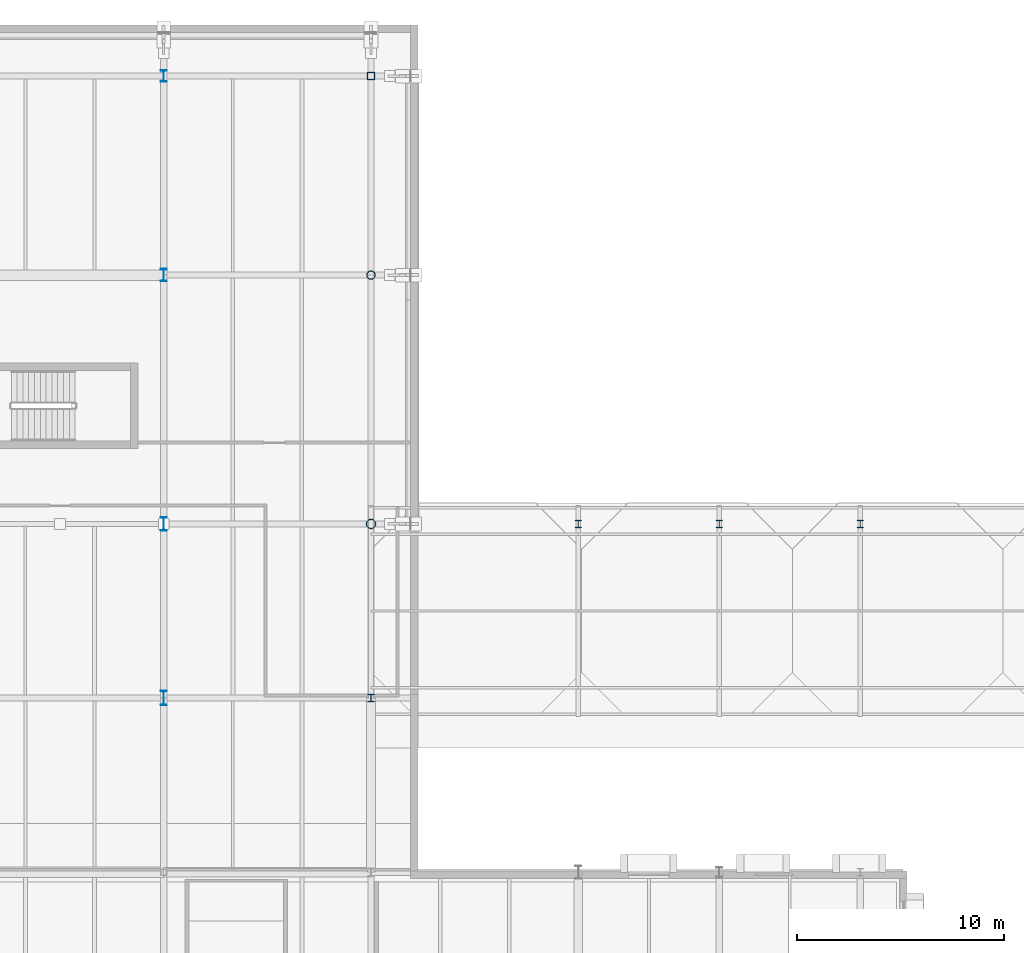
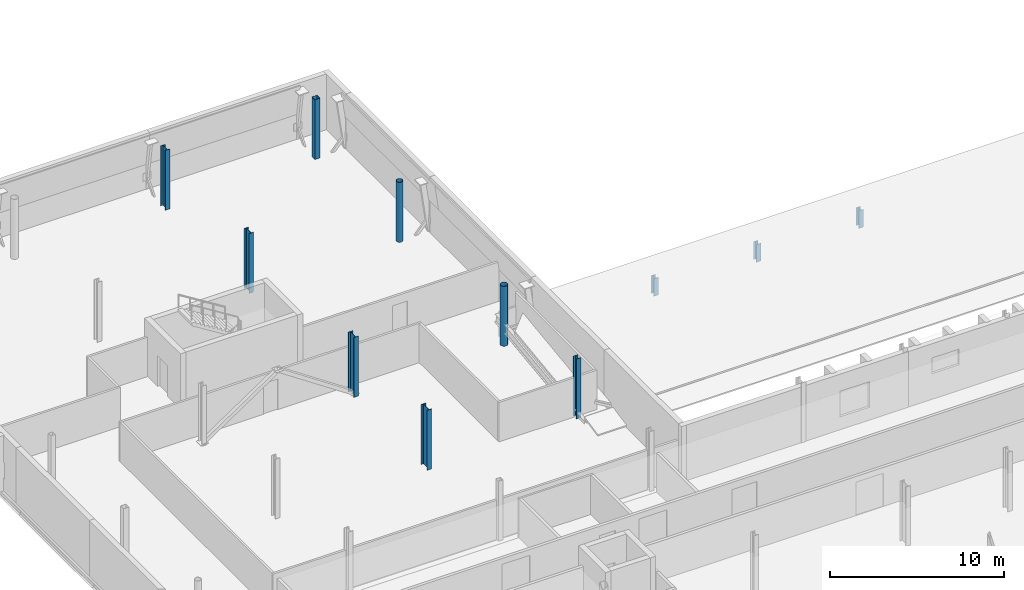
# One storey, part 15 of 90: 11 columns.
"""IFC4 building model written with IfcOpenShell, lengths in metres."""

from ifc_helpers import new_model, si_unit, direction, frame, origin, origin_2d, place, context, subcontext, project, spatial, hollow_rectangle, hollow_circle, i_section, extrude, material, material_profile, profile_set, type_object, element, save


model = new_model("IFC4")

# Units and contexts
model_context = context("Model", 3, precision=1e-05, world=origin(), true_north=direction((0.0, 1.0)))
body_context = subcontext(model_context, "Body", "Model", "MODEL_VIEW")
ifc_project = project(units=[si_unit("LENGTHUNIT", "METRE"), si_unit("AREAUNIT", "SQUARE_METRE"), si_unit("VOLUMEUNIT", "CUBIC_METRE"), si_unit("PLANEANGLEUNIT", "RADIAN"), si_unit("MASSUNIT", "GRAM", prefix="KILO")], contexts=[model_context])

# Site, building, storey
site_placement = place(None, origin())
site = spatial("IfcSite", under=ifc_project, at=site_placement, CompositionType="ELEMENT")
building_placement = place(site_placement, origin())
building = spatial("IfcBuilding", under=site, at=building_placement, Name="Zereglee Splitstone Museum", CompositionType="ELEMENT")
storey_placement = place(building_placement, frame((0.0, 0.0, 4.800048828125)))
storey = spatial("IfcBuildingStorey", under=building, at=storey_placement, Name="L01", CompositionType="ELEMENT", Elevation=4.800048828125)

# Columns
ifc_material_1 = material(Name="Steel S355J2H", Category="steel")
ifc_material_profile_1 = material_profile(ifc_material_1, hollow_circle(Radius=0.203125, WallThickness=0.02001953125, at=origin_2d()), Name="CHS 406.4x20")
ifc_profile_set_1 = profile_set([ifc_material_profile_1], Name="Steel S355J2H")
column_type_1 = type_object("IfcColumnType", Name="C-18", PredefinedType="COLUMN", material=ifc_profile_set_1)
column_1_placement = place(storey_placement, frame((205.199951171875, 50.39990234375, 0.0), z_axis=(0.0, 0.0, 1.0), x_axis=(1.0, 0.0, 0.0)))
element("IfcColumn", 1, at=column_1_placement, inside=storey, type_object=column_type_1, Name="Column 23/F L01", PredefinedType="COLUMN", context=body_context, shape_type="SweptSolid", body=[
    extrude(hollow_circle(Radius=0.203125, WallThickness=0.02001953125, at=origin_2d()), origin(), (0.0, 0.0, 1.0), 4.199951171875),
])
ifc_material_profile_2 = material_profile(ifc_material_1, hollow_circle(Radius=0.228515625, WallThickness=0.02001953125, at=origin_2d()), Name="CHS 457.0x20")
ifc_profile_set_2 = profile_set([ifc_material_profile_2], Name="Steel S355J2H")
column_type_2 = type_object("IfcColumnType", Name="C-17", PredefinedType="COLUMN", material=ifc_profile_set_2)
column_2_placement = place(storey_placement, frame((205.199951171875, 38.39990234375, 0.0), z_axis=(0.0, 0.0, 1.0), x_axis=(1.0, 0.0, 0.0)))
element("IfcColumn", 2, at=column_2_placement, inside=storey, type_object=column_type_2, Name="Column 23/E L01", PredefinedType="COLUMN", context=body_context, shape_type="SweptSolid", body=[
    extrude(hollow_circle(Radius=0.228515625, WallThickness=0.02001953125, at=origin_2d()), origin(), (0.0, 0.0, 1.0), 4.199951171875),
])
ifc_material_2 = material(Name="Steel S355J2", Category="steel")
ifc_material_profile_3 = material_profile(ifc_material_2, i_section(OverallWidth=0.300048828125, OverallDepth=0.360107421875, WebThickness=0.012451171875, FlangeThickness=0.0224609375, FilletRadius=0.027099609375, at=origin_2d()), Name="HE 360 B")
ifc_profile_set_3 = profile_set([ifc_material_profile_3], Name="Steel S355J2")
column_type_3 = type_object("IfcColumnType", Name="C-16", PredefinedType="COLUMN", material=ifc_profile_set_3)
column_3_placement = place(storey_placement, frame((205.199951171875, 30.0, 0.0), z_axis=(0.0, 0.0, 1.0), x_axis=(1.0, 0.0, 0.0)))
element("IfcColumn", 3, at=column_3_placement, inside=storey, type_object=column_type_3, Name="Column 23/D L01", PredefinedType="COLUMN", context=body_context, shape_type="SweptSolid", body=[
    extrude(i_section(OverallWidth=0.300048828125, OverallDepth=0.360107421875, WebThickness=0.012451171875, FlangeThickness=0.0224609375, FilletRadius=0.027099609375, at=origin_2d()), origin(), (0.0, 0.0, 1.0), 4.199951171875),
])
for number, where, z_axis, x_axis, name in (
    (4, (215.199951171875, 38.39990234375, 0.0), (0.0, 0.0, 1.0), (1.0, 0.0, 0.0), "Roof Support Column RF-L3 (215.2,38.4)"),
    (5, (222.0, 38.39990234375, 0.0), (0.0, 0.0, 1.0), (1.0, 0.0, 0.0), "Roof Support Column RF-L3 (222.0,38.4)"),
    (6, (228.800048828125, 38.39990234375, 0.0), (0.0, 0.0, 1.0), (1.0, 0.0, 0.0), "Roof Support Column RF-L3 (228.8,38.4)"),
):
    element("IfcColumn", number, at=place(storey_placement, frame(where, z_axis=z_axis, x_axis=x_axis)), inside=storey, type_object=column_type_3, Name=name, PredefinedType="COLUMN", context=body_context, shape_type="SweptSolid", body=[
        extrude(i_section(OverallWidth=0.300048828125, OverallDepth=0.360107421875, WebThickness=0.012451171875, FlangeThickness=0.0224609375, FilletRadius=0.027099609375, at=origin_2d()), origin(), (0.0, 0.0, 1.0), 1.2451171875),
    ])
ifc_material_profile_4 = material_profile(ifc_material_2, i_section(OverallWidth=0.300048828125, OverallDepth=0.550048828125, WebThickness=0.014892578125, FlangeThickness=0.029052734375, FilletRadius=0.027099609375, at=origin_2d()), Name="HE 550 B")
ifc_profile_set_4 = profile_set([ifc_material_profile_4], Name="Steel S355J2")
column_type_4 = type_object("IfcColumnType", Name="C-12", PredefinedType="COLUMN", material=ifc_profile_set_4)
column_4_placement = place(storey_placement, frame((195.199951171875, 60.0, 0.0), z_axis=(0.0, 0.0, 1.0), x_axis=(1.0, 0.0, 0.0)))
element("IfcColumn", 7, at=column_4_placement, inside=storey, type_object=column_type_4, Name="Column 22/G L01", PredefinedType="COLUMN", context=body_context, shape_type="SweptSolid", body=[
    extrude(i_section(OverallWidth=0.300048828125, OverallDepth=0.550048828125, WebThickness=0.014892578125, FlangeThickness=0.029052734375, FilletRadius=0.027099609375, at=origin_2d()), origin(), (0.0, 0.0, 1.0), 4.199951171875),
])
ifc_material_profile_5 = material_profile(ifc_material_2, i_section(OverallWidth=0.300048828125, OverallDepth=0.60009765625, WebThickness=0.015380859375, FlangeThickness=0.030029296875, FilletRadius=0.027099609375, at=origin_2d()), Name="HE 600 B")
ifc_profile_set_5 = profile_set([ifc_material_profile_5], Name="Steel S355J2")
column_type_5 = type_object("IfcColumnType", Name="C-11", PredefinedType="COLUMN", material=ifc_profile_set_5)
column_5_placement = place(storey_placement, frame((195.199951171875, 50.39990234375, 0.0), z_axis=(0.0, 0.0, 1.0), x_axis=(1.0, 0.0, 0.0)))
element("IfcColumn", 8, at=column_5_placement, inside=storey, type_object=column_type_5, Name="Column 22/F L01", PredefinedType="COLUMN", context=body_context, shape_type="SweptSolid", body=[
    extrude(i_section(OverallWidth=0.300048828125, OverallDepth=0.60009765625, WebThickness=0.015380859375, FlangeThickness=0.030029296875, FilletRadius=0.027099609375, at=origin_2d()), origin(), (0.0, 0.0, 1.0), 4.199951171875),
])
ifc_material_profile_6 = material_profile(ifc_material_2, i_section(OverallWidth=0.300048828125, OverallDepth=0.64990234375, WebThickness=0.01611328125, FlangeThickness=0.031005859375, FilletRadius=0.027099609375, at=origin_2d()), Name="HE 650 B")
ifc_profile_set_6 = profile_set([ifc_material_profile_6], Name="Steel S355J2")
column_type_6 = type_object("IfcColumnType", Name="C-10", PredefinedType="COLUMN", material=ifc_profile_set_6)
column_6_placement = place(storey_placement, frame((195.199951171875, 38.39990234375, 0.0), z_axis=(0.0, 0.0, 1.0), x_axis=(1.0, 0.0, 0.0)))
element("IfcColumn", 9, at=column_6_placement, inside=storey, type_object=column_type_6, Name="Column 22/E L01", PredefinedType="COLUMN", context=body_context, shape_type="SweptSolid", body=[
    extrude(i_section(OverallWidth=0.300048828125, OverallDepth=0.64990234375, WebThickness=0.01611328125, FlangeThickness=0.031005859375, FilletRadius=0.027099609375, at=origin_2d()), origin(), (0.0, 0.0, 1.0), 4.199951171875),
])
ifc_material_profile_7 = material_profile(ifc_material_2, i_section(OverallWidth=0.300048828125, OverallDepth=0.699951171875, WebThickness=0.01708984375, FlangeThickness=0.031982421875, FilletRadius=0.027099609375, at=origin_2d()), Name="HE 700 B")
ifc_profile_set_7 = profile_set([ifc_material_profile_7], Name="Steel S355J2")
column_type_7 = type_object("IfcColumnType", Name="C-09", PredefinedType="COLUMN", material=ifc_profile_set_7)
column_7_placement = place(storey_placement, frame((195.199951171875, 30.0, 0.0), z_axis=(0.0, 0.0, 1.0), x_axis=(1.0, 0.0, 0.0)))
element("IfcColumn", 10, at=column_7_placement, inside=storey, type_object=column_type_7, Name="Column 22/D L01", PredefinedType="COLUMN", context=body_context, shape_type="SweptSolid", body=[
    extrude(i_section(OverallWidth=0.300048828125, OverallDepth=0.699951171875, WebThickness=0.01708984375, FlangeThickness=0.031982421875, FilletRadius=0.027099609375, at=origin_2d()), origin(), (0.0, 0.0, 1.0), 4.199951171875),
])
ifc_material_profile_8 = material_profile(ifc_material_1, hollow_rectangle(XDim=0.35009765625, YDim=0.35009765625, WallThickness=0.01611328125, at=origin_2d()), Name="SHS 350x350x16")
ifc_profile_set_8 = profile_set([ifc_material_profile_8], Name="Steel S355J2H")
column_type_8 = type_object("IfcColumnType", Name="C-19", PredefinedType="COLUMN", material=ifc_profile_set_8)
column_8_placement = place(storey_placement, frame((205.199951171875, 60.0, 0.0), z_axis=(0.0, 0.0, 1.0), x_axis=(1.0, 0.0, 0.0)))
element("IfcColumn", 11, at=column_8_placement, inside=storey, type_object=column_type_8, Name="Column 23/G L01", PredefinedType="COLUMN", context=body_context, shape_type="SweptSolid", body=[
    extrude(hollow_rectangle(XDim=0.35009765625, YDim=0.35009765625, WallThickness=0.01611328125, at=origin_2d()), origin(), (0.0, 0.0, 1.0), 4.199951171875),
])

save(model, "model.ifc")
